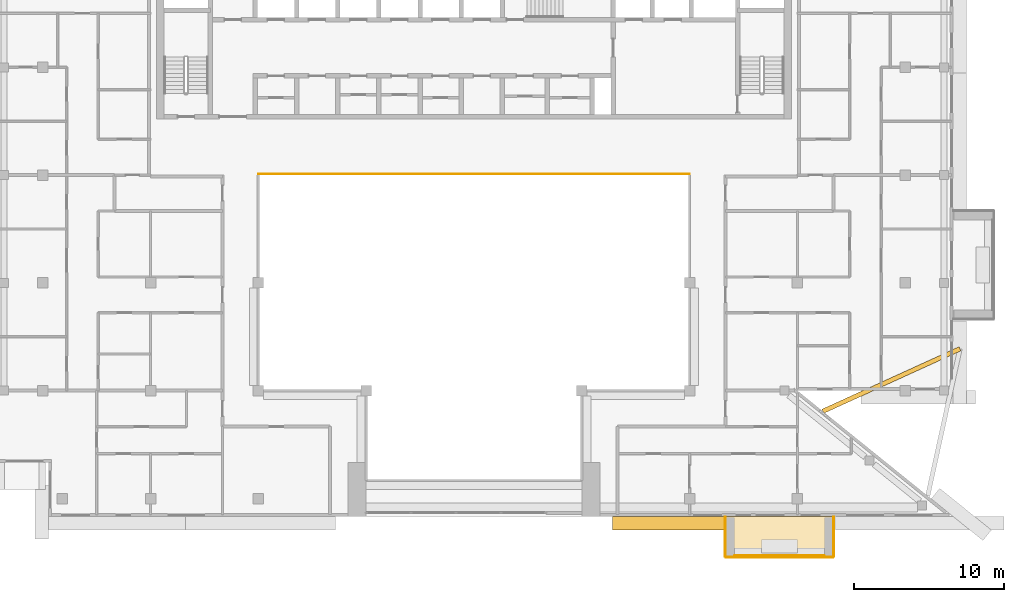
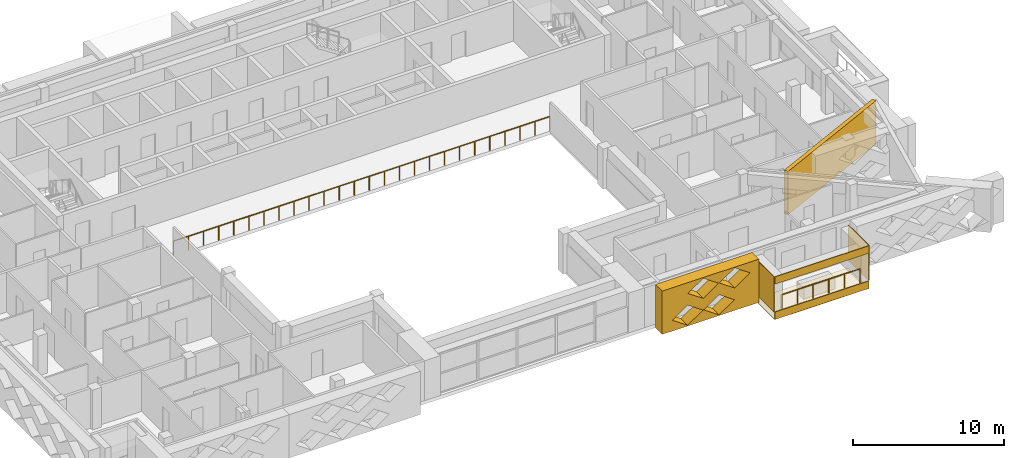
# One storey, part 15 of 19: 7 coverings, 2 railings.
"""IFC4 building model written with IfcOpenShell, lengths in metres."""

from ifc_helpers import new_model, si_unit, direction, frame, origin, origin_2d, place, context, subcontext, project, spatial, polyline, circle, outline, extrude, material, layer, layer_set, type_object, element, save


model = new_model("IFC4")

# Units and contexts
model_context = context("Model", 3, precision=1e-05, world=origin(), true_north=direction((0.0, 1.0)))
body_context = subcontext(model_context, "Body", "Model", "MODEL_VIEW")
ifc_project = project(units=[si_unit("LENGTHUNIT", "METRE"), si_unit("AREAUNIT", "SQUARE_METRE"), si_unit("VOLUMEUNIT", "CUBIC_METRE"), si_unit("PLANEANGLEUNIT", "RADIAN"), si_unit("MASSUNIT", "GRAM", prefix="KILO")], contexts=[model_context])

# Site, building, storey
site_placement = place(None, origin())
site = spatial("IfcSite", under=ifc_project, at=site_placement, CompositionType="ELEMENT")
building_placement = place(site_placement, origin())
building = spatial("IfcBuilding", under=site, at=building_placement, Name="Saffron Iwan Residences", CompositionType="ELEMENT")
storey_placement = place(building_placement, frame((0.0, 0.0, 264.0)))
storey = spatial("IfcBuildingStorey", under=building, at=storey_placement, Name="L71", CompositionType="ELEMENT", Elevation=264.0)

# Railings
ifc_material_1 = material(Name="Stainless steel 316", Category="steel")
railing_type_1 = type_object("IfcRailingType", Name="Atrium guard 1150", PredefinedType="GUARDRAIL", material=ifc_material_1)
railing_1_placement = place(storey_placement, frame((36.0, 62.47509765625, 0.0)))
element("IfcRailing", 1, at=railing_1_placement, inside=storey, type_object=railing_type_1, Name="Atrium guard L71", PredefinedType="GUARDRAIL", context=body_context, shape_type="SweptSolid", body=[
    extrude(circle(Radius=0.02392578125, at=origin_2d()), frame((0.0, 0.0, 1.1259765625), z_axis=(1.0, 0.0, 0.0), x_axis=(0.0, 1.0, 0.0)), (0.0, 0.0, 1.0), 28.800048828125),
    extrude(circle(Radius=0.02099609375, at=origin_2d()), origin(), (0.0, 0.0, 1.0), 1.101806640625),
    extrude(circle(Radius=0.02099609375, at=origin_2d()), frame((1.152099609375, 0.0, 0.0)), (0.0, 0.0, 1.0), 1.101806640625),
    extrude(circle(Radius=0.02099609375, at=origin_2d()), frame((2.303955078125, 0.0, 0.0)), (0.0, 0.0, 1.0), 1.101806640625),
    extrude(circle(Radius=0.02099609375, at=origin_2d()), frame((3.4560546875, 0.0, 0.0)), (0.0, 0.0, 1.0), 1.101806640625),
    extrude(circle(Radius=0.02099609375, at=origin_2d()), frame((4.60791015625, 0.0, 0.0)), (0.0, 0.0, 1.0), 1.101806640625),
    extrude(circle(Radius=0.02099609375, at=origin_2d()), frame((5.760009765625, 0.0, 0.0)), (0.0, 0.0, 1.0), 1.101806640625),
    extrude(circle(Radius=0.02099609375, at=origin_2d()), frame((6.912109375, 0.0, 0.0)), (0.0, 0.0, 1.0), 1.101806640625),
    extrude(circle(Radius=0.02099609375, at=origin_2d()), frame((8.06396484375, 0.0, 0.0)), (0.0, 0.0, 1.0), 1.101806640625),
    extrude(circle(Radius=0.02099609375, at=origin_2d()), frame((9.216064453125, 0.0, 0.0)), (0.0, 0.0, 1.0), 1.101806640625),
    extrude(circle(Radius=0.02099609375, at=origin_2d()), frame((10.367919921875, 0.0, 0.0)), (0.0, 0.0, 1.0), 1.101806640625),
    extrude(circle(Radius=0.02099609375, at=origin_2d()), frame((11.52001953125, 0.0, 0.0)), (0.0, 0.0, 1.0), 1.101806640625),
    extrude(circle(Radius=0.02099609375, at=origin_2d()), frame((12.672119140625, 0.0, 0.0)), (0.0, 0.0, 1.0), 1.101806640625),
    extrude(circle(Radius=0.02099609375, at=origin_2d()), frame((13.823974609375, 0.0, 0.0)), (0.0, 0.0, 1.0), 1.101806640625),
    extrude(circle(Radius=0.02099609375, at=origin_2d()), frame((14.97607421875, 0.0, 0.0)), (0.0, 0.0, 1.0), 1.101806640625),
    extrude(circle(Radius=0.02099609375, at=origin_2d()), frame((16.1279296875, 0.0, 0.0)), (0.0, 0.0, 1.0), 1.101806640625),
    extrude(circle(Radius=0.02099609375, at=origin_2d()), frame((17.280029296875, 0.0, 0.0)), (0.0, 0.0, 1.0), 1.101806640625),
    extrude(circle(Radius=0.02099609375, at=origin_2d()), frame((18.43212890625, 0.0, 0.0)), (0.0, 0.0, 1.0), 1.101806640625),
    extrude(circle(Radius=0.02099609375, at=origin_2d()), frame((19.583984375, 0.0, 0.0)), (0.0, 0.0, 1.0), 1.101806640625),
    extrude(circle(Radius=0.02099609375, at=origin_2d()), frame((20.736083984375, 0.0, 0.0)), (0.0, 0.0, 1.0), 1.101806640625),
    extrude(circle(Radius=0.02099609375, at=origin_2d()), frame((21.887939453125, 0.0, 0.0)), (0.0, 0.0, 1.0), 1.101806640625),
    extrude(circle(Radius=0.02099609375, at=origin_2d()), frame((23.0400390625, 0.0, 0.0)), (0.0, 0.0, 1.0), 1.101806640625),
    extrude(circle(Radius=0.02099609375, at=origin_2d()), frame((24.192138671875, 0.0, 0.0)), (0.0, 0.0, 1.0), 1.101806640625),
    extrude(circle(Radius=0.02099609375, at=origin_2d()), frame((25.343994140625, 0.0, 0.0)), (0.0, 0.0, 1.0), 1.101806640625),
    extrude(circle(Radius=0.02099609375, at=origin_2d()), frame((26.49609375, 0.0, 0.0)), (0.0, 0.0, 1.0), 1.101806640625),
    extrude(circle(Radius=0.02099609375, at=origin_2d()), frame((27.64794921875, 0.0, 0.0)), (0.0, 0.0, 1.0), 1.101806640625),
    extrude(circle(Radius=0.02099609375, at=origin_2d()), frame((28.800048828125, 0.0, 0.0)), (0.0, 0.0, 1.0), 1.101806640625),
])
railing_type_2 = type_object("IfcRailingType", Name="BALCONY GUARD 1150", PredefinedType="GUARDRAIL", material=ifc_material_1)
railing_2_placement = place(storey_placement, frame((67.800048828125, 36.97509765625, 0.0)))
element("IfcRailing", 2, at=railing_2_placement, inside=storey, type_object=railing_type_2, Name="Balcony guard L71 11-1", PredefinedType="GUARDRAIL", context=body_context, shape_type="SweptSolid", body=[
    extrude(circle(Radius=0.02392578125, at=origin_2d()), frame((0.0, 0.0, 1.1259765625), z_axis=(1.0, 0.0, 0.0), x_axis=(0.0, 1.0, 0.0)), (0.0, 0.0, 1.0), 6.0),
    extrude(circle(Radius=0.02099609375, at=origin_2d()), origin(), (0.0, 0.0, 1.0), 1.101806640625),
    extrude(circle(Radius=0.02099609375, at=origin_2d()), frame((1.199951171875, 0.0, 0.0)), (0.0, 0.0, 1.0), 1.101806640625),
    extrude(circle(Radius=0.02099609375, at=origin_2d()), frame((2.39990234375, 0.0, 0.0)), (0.0, 0.0, 1.0), 1.101806640625),
    extrude(circle(Radius=0.02099609375, at=origin_2d()), frame((3.60009765625, 0.0, 0.0)), (0.0, 0.0, 1.0), 1.101806640625),
    extrude(circle(Radius=0.02099609375, at=origin_2d()), frame((4.800048828125, 0.0, 0.0)), (0.0, 0.0, 1.0), 1.101806640625),
    extrude(circle(Radius=0.02099609375, at=origin_2d()), frame((6.0, 0.0, 0.0)), (0.0, 0.0, 1.0), 1.101806640625),
])

# Coverings
ifc_material_2 = material(Name="Precast concrete C40/50 white painted", Category="concrete")
ifc_layer_1 = layer(ifc_material_2, 0.050048828125)
ifc_layer_set_1 = layer_set([ifc_layer_1], Name="Precast concrete C40/50 white painted")
covering_type_1 = type_object("IfcCoveringType", Name="FRAME SKIN PRECAST WHITE 50", PredefinedType="CLADDING", material=ifc_layer_set_1)
for number, where, name in (
    (3, (0.0, 0.0, -0.60009765625), "Frame skin slab edge L71 11-1"),
    (4, (0.0, 0.0, 2.25), "Frame skin fascia L71 11-1"),
):
    element("IfcCovering", number, at=place(storey_placement, frame(where)), inside=storey, type_object=covering_type_1, Name=name, PredefinedType="CLADDING", context=body_context, shape_type="SweptSolid", body=[
        extrude(outline(polyline([(67.199951171875, 36.85009765625), (74.39990234375, 36.85009765625), (74.39990234375, 36.89990234375), (67.199951171875, 36.89990234375), (67.199951171875, 36.85009765625)])), origin(), (0.0, 0.0, 1.0), 0.60009765625),
    ])
covering_1_placement = place(storey_placement, frame((0.0, 0.0, -0.64990234375)))
element("IfcCovering", 5, at=covering_1_placement, inside=storey, type_object=covering_type_1, Name="Frame skin soffit L71 11-1", PredefinedType="CLADDING", context=body_context, shape_type="SweptSolid", body=[
    extrude(outline(polyline([(67.199951171875, 36.89990234375), (74.39990234375, 36.89990234375), (74.39990234375, 39.60009765625), (67.199951171875, 39.60009765625), (67.199951171875, 36.89990234375)])), origin(), (0.0, 0.0, 1.0), 0.0498046875),
])
covering_2_placement = place(storey_placement, origin())
element("IfcCovering", 6, at=covering_2_placement, inside=storey, type_object=covering_type_1, Name="Frame skin fin L71 11-1a", PredefinedType="CLADDING", context=body_context, shape_type="SweptSolid", body=[
    extrude(outline(polyline([(67.14990234375, 36.89990234375), (67.199951171875, 36.89990234375), (67.199951171875, 39.60009765625), (67.14990234375, 39.60009765625), (67.14990234375, 36.89990234375)])), origin(), (0.0, 0.0, 1.0), 2.85009765625),
])
covering_3_placement = place(storey_placement, origin())
element("IfcCovering", 7, at=covering_3_placement, inside=storey, type_object=covering_type_1, Name="Frame skin fin L71 11-1b", PredefinedType="CLADDING", context=body_context, shape_type="SweptSolid", body=[
    extrude(outline(polyline([(74.39990234375, 36.89990234375), (74.449951171875, 36.89990234375), (74.449951171875, 39.60009765625), (74.39990234375, 39.60009765625), (74.39990234375, 36.89990234375)])), origin(), (0.0, 0.0, 1.0), 2.85009765625),
])
ifc_material_3 = material(Name="Precast concrete C40/50", Category="concrete")
covering_type_2 = type_object("IfcCoveringType", Name="OUTER SKIN LATTICE SCREEN", PredefinedType="CLADDING", material=ifc_material_3)
covering_4_placement = place(storey_placement, frame((59.64990234375, 39.60009765625, -0.280029296875), z_axis=(0.0, -1.0, 0.0), x_axis=(1.0, 0.0, 0.0)))
element("IfcCovering", 8, at=covering_4_placement, inside=storey, type_object=covering_type_2, Name="OUTER SKIN lattice screen L71 F11.2", PredefinedType="CLADDING", context=body_context, shape_type="SweptSolid", body=[
    extrude(outline(polyline([(0.0, 0.0), (7.39990234375, 0.0), (7.39990234375, 3.5), (0.0, 3.5), (0.0, 0.0)]), holes=[polyline([(0.77001953125, 0.875), (1.949951171875, 0.06005859375), (3.1298828125, 0.875), (1.949951171875, 1.68994140625), (0.77001953125, 0.875)]), polyline([(3.169921875, 0.875), (4.35009765625, 0.06005859375), (5.530029296875, 0.875), (4.35009765625, 1.68994140625), (3.169921875, 0.875)]), polyline([(1.969970703125, 2.625), (3.14990234375, 1.81005859375), (4.330078125, 2.625), (3.14990234375, 3.43994140625), (1.969970703125, 2.625)]), polyline([(4.3701171875, 2.625), (5.550048828125, 1.81005859375), (6.72998046875, 2.625), (5.550048828125, 3.43994140625), (4.3701171875, 2.625)])]), origin(), (0.0, 0.0, 1.0), 0.900146484375),
])
ifc_layer_2 = layer(ifc_material_2, 0.300048828125)
ifc_layer_set_2 = layer_set([ifc_layer_2], Name="Precast concrete C40/50 white painted")
covering_type_3 = type_object("IfcCoveringType", Name="PROW NOSE BLADE PRECAST WHITE", PredefinedType="CLADDING", material=ifc_layer_set_2)
covering_5_placement = place(storey_placement, frame((0.0, 0.0, -0.280029296875)))
element("IfcCovering", 9, at=covering_5_placement, inside=storey, type_object=covering_type_3, Name="Prow nose blade L71 b", PredefinedType="CLADDING", context=body_context, shape_type="SweptSolid", body=[
    extrude(outline(polyline([(73.761474609375, 46.490966796875), (82.917236328125, 50.6650390625), (82.792724609375, 50.93798828125), (73.636962890625, 46.763916015625), (73.761474609375, 46.490966796875)])), origin(), (0.0, 0.0, 1.0), 3.5),
])

save(model, "model.ifc")
